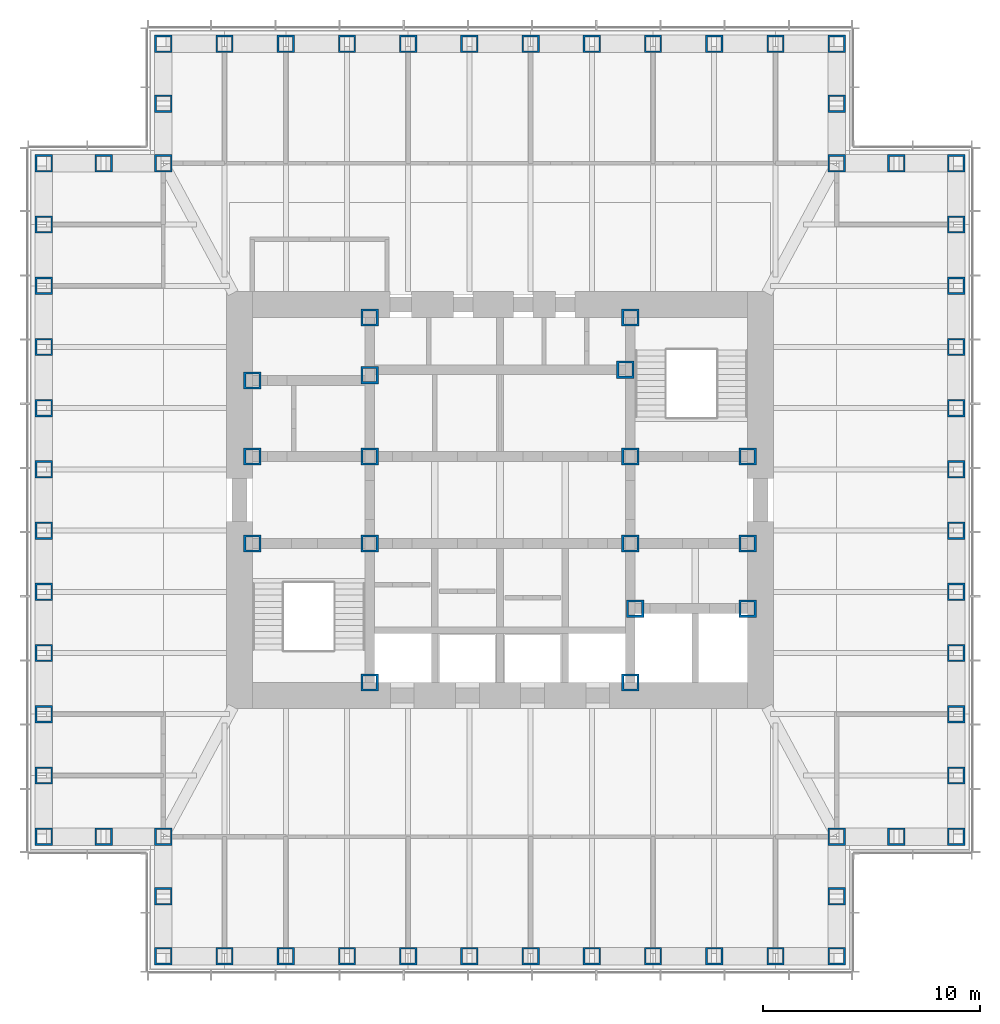
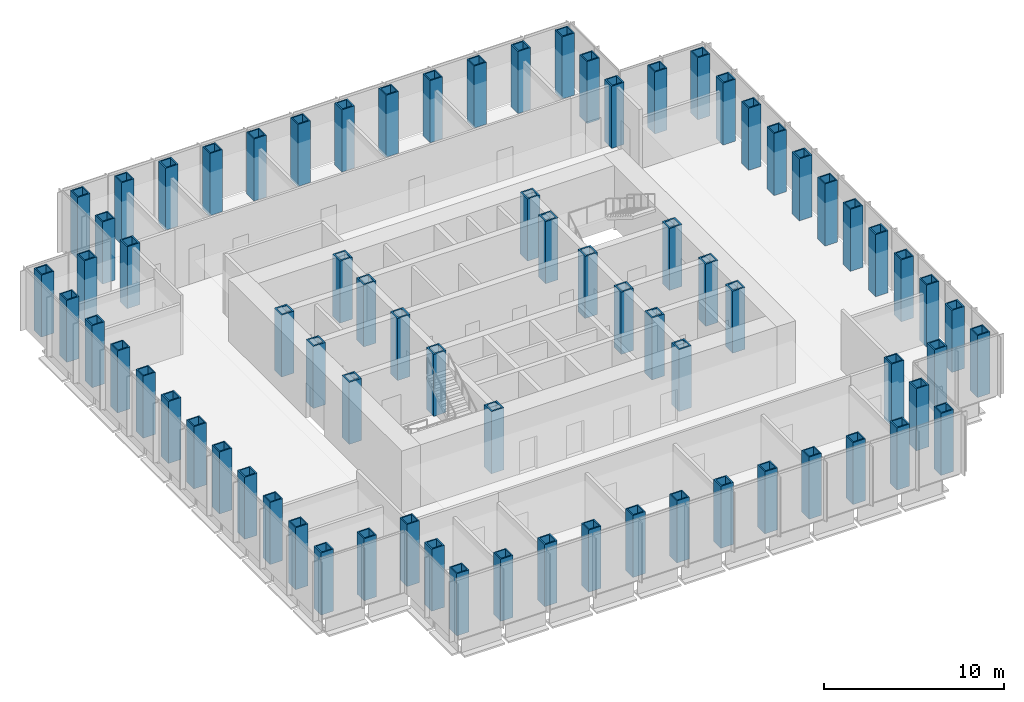
# One storey, part 1 of 17: 77 columns.
"""IFC4 building model written with IfcOpenShell, lengths in metres."""

from ifc_helpers import new_model, si_unit, direction, frame, origin, origin_2d, place, context, subcontext, project, spatial, hollow_rectangle, extrude, material, material_profile, profile_set, type_object, element, save


model = new_model("IFC4")

# Units and contexts
model_context = context("Model", 3, precision=1e-05, world=origin(), true_north=direction((0.0, 1.0)))
body_context = subcontext(model_context, "Body", "Model", "MODEL_VIEW")
ifc_project = project(units=[si_unit("LENGTHUNIT", "METRE"), si_unit("AREAUNIT", "SQUARE_METRE"), si_unit("VOLUMEUNIT", "CUBIC_METRE"), si_unit("PLANEANGLEUNIT", "RADIAN"), si_unit("MASSUNIT", "GRAM", prefix="KILO")], contexts=[model_context])

# Site, building, storey
site_placement = place(None, origin())
site = spatial("IfcSite", under=ifc_project, at=site_placement, CompositionType="ELEMENT")
building_placement = place(site_placement, origin())
building = spatial("IfcBuilding", under=site, at=building_placement, Name="Daluyong Arena Tower", CompositionType="ELEMENT")
storey_placement = place(building_placement, frame((0.0, 0.0, 223.300048828125)))
storey = spatial("IfcBuildingStorey", under=building, at=storey_placement, Name="L50", CompositionType="ELEMENT", Elevation=223.300048828125)

# Columns
ifc_material_1 = material(Name="Steel ASTM A572 Grade 50", Category="steel")
ifc_material_profile_1 = material_profile(ifc_material_1, hollow_rectangle(XDim=0.800048828125, YDim=0.800048828125, WallThickness=0.1, at=origin_2d()))
ifc_profile_set_1 = profile_set([ifc_material_profile_1], Name="Steel ASTM A572 Grade 50")
column_type_1 = type_object("IfcColumnType", Name="Core boundary column BX800X100", PredefinedType="COLUMN", material=ifc_profile_set_1)
for number, where, z_axis, x_axis, name in (
    (1, (44.60009765625, 78.0, 0.0), (0.0, 0.0, 1.0), (1.0, 0.0, 0.0), "core boundary column BC2"),
    (2, (44.60009765625, 82.0, 0.0), (0.0, 0.0, 1.0), (1.0, 0.0, 0.0), "core boundary column BC2"),
    (3, (44.60009765625, 85.5, 0.0), (0.0, 0.0, 1.0), (1.0, 0.0, 0.0), "core boundary column BC2"),
    (4, (50.0, 71.60009765625, 0.0), (0.0, 0.0, 1.0), (1.0, 0.0, 0.0), "core boundary column BC2"),
    (5, (50.0, 78.0, 0.0), (0.0, 0.0, 1.0), (1.0, 0.0, 0.0), "core boundary column BC2"),
    (6, (50.0, 82.0, 0.0), (0.0, 0.0, 1.0), (1.0, 0.0, 0.0), "core boundary column BC2"),
    (7, (50.0, 85.75, 0.0), (0.0, 0.0, 1.0), (1.0, 0.0, 0.0), "core boundary column BC2"),
    (8, (50.0, 88.39990234375, 0.0), (0.0, 0.0, 1.0), (1.0, 0.0, 0.0), "core boundary column BC2"),
    (9, (61.77490234375, 86.0, 0.0), (0.0, 0.0, 1.0), (1.0, 0.0, 0.0), "core boundary column BC2"),
    (10, (62.0, 71.60009765625, 0.0), (0.0, 0.0, 1.0), (1.0, 0.0, 0.0), "core boundary column BC2"),
    (11, (62.0, 78.0, 0.0), (0.0, 0.0, 1.0), (1.0, 0.0, 0.0), "core boundary column BC2"),
    (12, (62.0, 82.0, 0.0), (0.0, 0.0, 1.0), (1.0, 0.0, 0.0), "core boundary column BC2"),
    (13, (62.0, 88.39990234375, 0.0), (0.0, 0.0, 1.0), (1.0, 0.0, 0.0), "core boundary column BC2"),
    (14, (62.22509765625, 75.0, 0.0), (0.0, 0.0, 1.0), (1.0, 0.0, 0.0), "core boundary column BC2"),
    (15, (67.39990234375, 75.0, 0.0), (0.0, 0.0, 1.0), (1.0, 0.0, 0.0), "core boundary column BC2"),
    (16, (67.39990234375, 78.0, 0.0), (0.0, 0.0, 1.0), (1.0, 0.0, 0.0), "core boundary column BC2"),
    (17, (67.39990234375, 82.0, 0.0), (0.0, 0.0, 1.0), (1.0, 0.0, 0.0), "core boundary column BC2"),
):
    element("IfcColumn", number, at=place(storey_placement, frame(where, z_axis=z_axis, x_axis=x_axis)), inside=storey, type_object=column_type_1, Name=name, PredefinedType="COLUMN", context=body_context, shape_type="SweptSolid", body=[
        extrude(hollow_rectangle(XDim=0.800048828125, YDim=0.800048828125, WallThickness=0.1, at=origin_2d()), origin(), (0.0, 0.0, 1.0), 4.199951171875),
    ])
ifc_material_2 = material(Name="Steel ASTM A572 Grade 50", Category="steel")
ifc_material_profile_2 = material_profile(ifc_material_2, hollow_rectangle(XDim=0.800048828125, YDim=0.800048828125, WallThickness=0.08, at=origin_2d()))
ifc_profile_set_2 = profile_set([ifc_material_profile_2], Name="Steel ASTM A572 Grade 50")
column_type_2 = type_object("IfcColumnType", Name="Tube column BX800X80 BX800X80", PredefinedType="COLUMN", material=ifc_profile_set_2)
for number, where, z_axis, x_axis, name in (
    (18, (40.5, 59.0, 0.0), (0.0, 0.0, 1.0), (1.0, 0.0, 0.0), "tube column bx800x80 TC6"),
    (19, (43.318115234375, 59.0, 0.0), (0.0, 0.0, 1.0), (1.0, 0.0, 0.0), "tube column bx800x80 TC6"),
    (20, (46.136474609375, 59.0, 0.0), (0.0, 0.0, 1.0), (1.0, 0.0, 0.0), "tube column bx800x80 TC6"),
    (21, (48.95458984375, 59.0, 0.0), (0.0, 0.0, 1.0), (1.0, 0.0, 0.0), "tube column bx800x80 TC6"),
    (22, (51.772705078125, 59.0, 0.0), (0.0, 0.0, 1.0), (1.0, 0.0, 0.0), "tube column bx800x80 TC6"),
    (23, (54.5908203125, 59.0, 0.0), (0.0, 0.0, 1.0), (1.0, 0.0, 0.0), "tube column bx800x80 TC6"),
    (24, (57.4091796875, 59.0, 0.0), (0.0, 0.0, 1.0), (1.0, 0.0, 0.0), "tube column bx800x80 TC6"),
    (25, (60.227294921875, 59.0, 0.0), (0.0, 0.0, 1.0), (1.0, 0.0, 0.0), "tube column bx800x80 TC6"),
    (26, (63.04541015625, 59.0, 0.0), (0.0, 0.0, 1.0), (1.0, 0.0, 0.0), "tube column bx800x80 TC6"),
    (27, (65.863525390625, 59.0, 0.0), (0.0, 0.0, 1.0), (1.0, 0.0, 0.0), "tube column bx800x80 TC6"),
    (28, (68.681884765625, 59.0, 0.0), (0.0, 0.0, 1.0), (1.0, 0.0, 0.0), "tube column bx800x80 TC6"),
    (29, (71.5, 59.0, 0.0), (0.0, 0.0, 1.0), (0.0, 1.0, 0.0), "tube column bx800x80 TC6"),
    (30, (71.5, 61.75, 0.0), (0.0, 0.0, 1.0), (0.0, 1.0, 0.0), "tube column bx800x80 TC6"),
    (31, (71.5, 64.5, 0.0), (0.0, 0.0, 1.0), (1.0, 0.0, 0.0), "tube column bx800x80 TC6"),
    (32, (74.25, 64.5, 0.0), (0.0, 0.0, 1.0), (1.0, 0.0, 0.0), "tube column bx800x80 TC6"),
    (33, (77.0, 64.5, 0.0), (0.0, 0.0, 1.0), (0.0, 1.0, 0.0), "tube column bx800x80 TC6"),
    (34, (77.0, 67.318115234375, 0.0), (0.0, 0.0, 1.0), (0.0, 1.0, 0.0), "tube column bx800x80 TC6"),
    (35, (77.0, 70.136474609375, 0.0), (0.0, 0.0, 1.0), (0.0, 1.0, 0.0), "tube column bx800x80 TC6"),
    (36, (77.0, 72.95458984375, 0.0), (0.0, 0.0, 1.0), (0.0, 1.0, 0.0), "tube column bx800x80 TC6"),
    (37, (77.0, 75.772705078125, 0.0), (0.0, 0.0, 1.0), (0.0, 1.0, 0.0), "tube column bx800x80 TC6"),
    (38, (77.0, 78.5908203125, 0.0), (0.0, 0.0, 1.0), (0.0, 1.0, 0.0), "tube column bx800x80 TC6"),
    (39, (77.0, 81.4091796875, 0.0), (0.0, 0.0, 1.0), (0.0, 1.0, 0.0), "tube column bx800x80 TC6"),
    (40, (77.0, 84.227294921875, 0.0), (0.0, 0.0, 1.0), (0.0, 1.0, 0.0), "tube column bx800x80 TC6"),
    (41, (77.0, 87.04541015625, 0.0), (0.0, 0.0, 1.0), (0.0, 1.0, 0.0), "tube column bx800x80 TC6"),
    (42, (77.0, 89.863525390625, 0.0), (0.0, 0.0, 1.0), (0.0, 1.0, 0.0), "tube column bx800x80 TC6"),
    (43, (77.0, 92.681884765625, 0.0), (0.0, 0.0, 1.0), (0.0, 1.0, 0.0), "tube column bx800x80 TC6"),
    (44, (77.0, 95.5, 0.0), (0.0, 0.0, 1.0), (1.0, 0.0, 0.0), "tube column bx800x80 TC6"),
    (45, (74.25, 95.5, 0.0), (0.0, 0.0, 1.0), (1.0, 0.0, 0.0), "tube column bx800x80 TC6"),
    (46, (71.5, 95.5, 0.0), (0.0, 0.0, 1.0), (0.0, 1.0, 0.0), "tube column bx800x80 TC6"),
    (47, (71.5, 98.25, 0.0), (0.0, 0.0, 1.0), (0.0, 1.0, 0.0), "tube column bx800x80 TC6"),
    (48, (71.5, 101.0, 0.0), (0.0, 0.0, 1.0), (1.0, 0.0, 0.0), "tube column bx800x80 TC6"),
    (49, (68.681884765625, 101.0, 0.0), (0.0, 0.0, 1.0), (1.0, 0.0, 0.0), "tube column bx800x80 TC6"),
    (50, (65.863525390625, 101.0, 0.0), (0.0, 0.0, 1.0), (1.0, 0.0, 0.0), "tube column bx800x80 TC6"),
    (51, (63.04541015625, 101.0, 0.0), (0.0, 0.0, 1.0), (1.0, 0.0, 0.0), "tube column bx800x80 TC6"),
    (52, (60.227294921875, 101.0, 0.0), (0.0, 0.0, 1.0), (1.0, 0.0, 0.0), "tube column bx800x80 TC6"),
    (53, (57.4091796875, 101.0, 0.0), (0.0, 0.0, 1.0), (1.0, 0.0, 0.0), "tube column bx800x80 TC6"),
    (54, (54.5908203125, 101.0, 0.0), (0.0, 0.0, 1.0), (1.0, 0.0, 0.0), "tube column bx800x80 TC6"),
    (55, (51.772705078125, 101.0, 0.0), (0.0, 0.0, 1.0), (1.0, 0.0, 0.0), "tube column bx800x80 TC6"),
    (56, (48.95458984375, 101.0, 0.0), (0.0, 0.0, 1.0), (1.0, 0.0, 0.0), "tube column bx800x80 TC6"),
    (57, (46.136474609375, 101.0, 0.0), (0.0, 0.0, 1.0), (1.0, 0.0, 0.0), "tube column bx800x80 TC6"),
    (58, (43.318115234375, 101.0, 0.0), (0.0, 0.0, 1.0), (1.0, 0.0, 0.0), "tube column bx800x80 TC6"),
    (59, (40.5, 101.0, 0.0), (0.0, 0.0, 1.0), (0.0, 1.0, 0.0), "tube column bx800x80 TC6"),
    (60, (40.5, 98.25, 0.0), (0.0, 0.0, 1.0), (0.0, 1.0, 0.0), "tube column bx800x80 TC6"),
    (61, (40.5, 95.5, 0.0), (0.0, 0.0, 1.0), (1.0, 0.0, 0.0), "tube column bx800x80 TC6"),
    (62, (37.75, 95.5, 0.0), (0.0, 0.0, 1.0), (1.0, 0.0, 0.0), "tube column bx800x80 TC6"),
    (63, (35.0, 95.5, 0.0), (0.0, 0.0, 1.0), (0.0, 1.0, 0.0), "tube column bx800x80 TC6"),
    (64, (35.0, 92.681884765625, 0.0), (0.0, 0.0, 1.0), (0.0, 1.0, 0.0), "tube column bx800x80 TC6"),
    (65, (35.0, 89.863525390625, 0.0), (0.0, 0.0, 1.0), (0.0, 1.0, 0.0), "tube column bx800x80 TC6"),
    (66, (35.0, 87.04541015625, 0.0), (0.0, 0.0, 1.0), (0.0, 1.0, 0.0), "tube column bx800x80 TC6"),
    (67, (35.0, 84.227294921875, 0.0), (0.0, 0.0, 1.0), (0.0, 1.0, 0.0), "tube column bx800x80 TC6"),
    (68, (35.0, 81.4091796875, 0.0), (0.0, 0.0, 1.0), (0.0, 1.0, 0.0), "tube column bx800x80 TC6"),
    (69, (35.0, 78.5908203125, 0.0), (0.0, 0.0, 1.0), (0.0, 1.0, 0.0), "tube column bx800x80 TC6"),
    (70, (35.0, 75.772705078125, 0.0), (0.0, 0.0, 1.0), (0.0, 1.0, 0.0), "tube column bx800x80 TC6"),
    (71, (35.0, 72.95458984375, 0.0), (0.0, 0.0, 1.0), (0.0, 1.0, 0.0), "tube column bx800x80 TC6"),
    (72, (35.0, 70.136474609375, 0.0), (0.0, 0.0, 1.0), (0.0, 1.0, 0.0), "tube column bx800x80 TC6"),
    (73, (35.0, 67.318115234375, 0.0), (0.0, 0.0, 1.0), (0.0, 1.0, 0.0), "tube column bx800x80 TC6"),
    (74, (35.0, 64.5, 0.0), (0.0, 0.0, 1.0), (1.0, 0.0, 0.0), "tube column bx800x80 TC6"),
    (75, (37.75, 64.5, 0.0), (0.0, 0.0, 1.0), (1.0, 0.0, 0.0), "tube column bx800x80 TC6"),
    (76, (40.5, 64.5, 0.0), (0.0, 0.0, 1.0), (0.0, 1.0, 0.0), "tube column bx800x80 TC6"),
    (77, (40.5, 61.75, 0.0), (0.0, 0.0, 1.0), (0.0, 1.0, 0.0), "tube column bx800x80 TC6"),
):
    element("IfcColumn", number, at=place(storey_placement, frame(where, z_axis=z_axis, x_axis=x_axis)), inside=storey, type_object=column_type_2, Name=name, PredefinedType="COLUMN", context=body_context, shape_type="SweptSolid", body=[
        extrude(hollow_rectangle(XDim=0.800048828125, YDim=0.800048828125, WallThickness=0.08, at=origin_2d()), origin(), (0.0, 0.0, 1.0), 4.199951171875),
    ])

save(model, "model.ifc")
